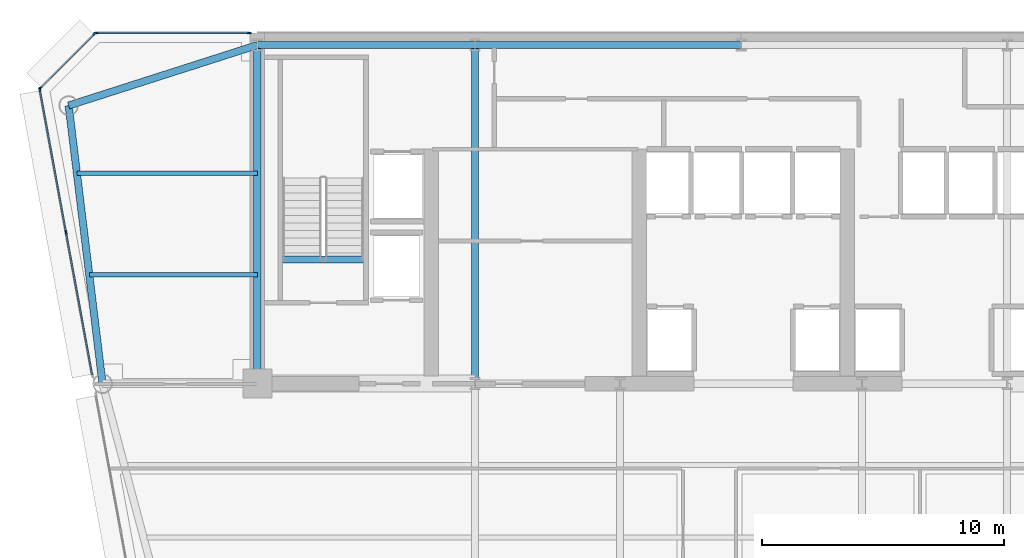
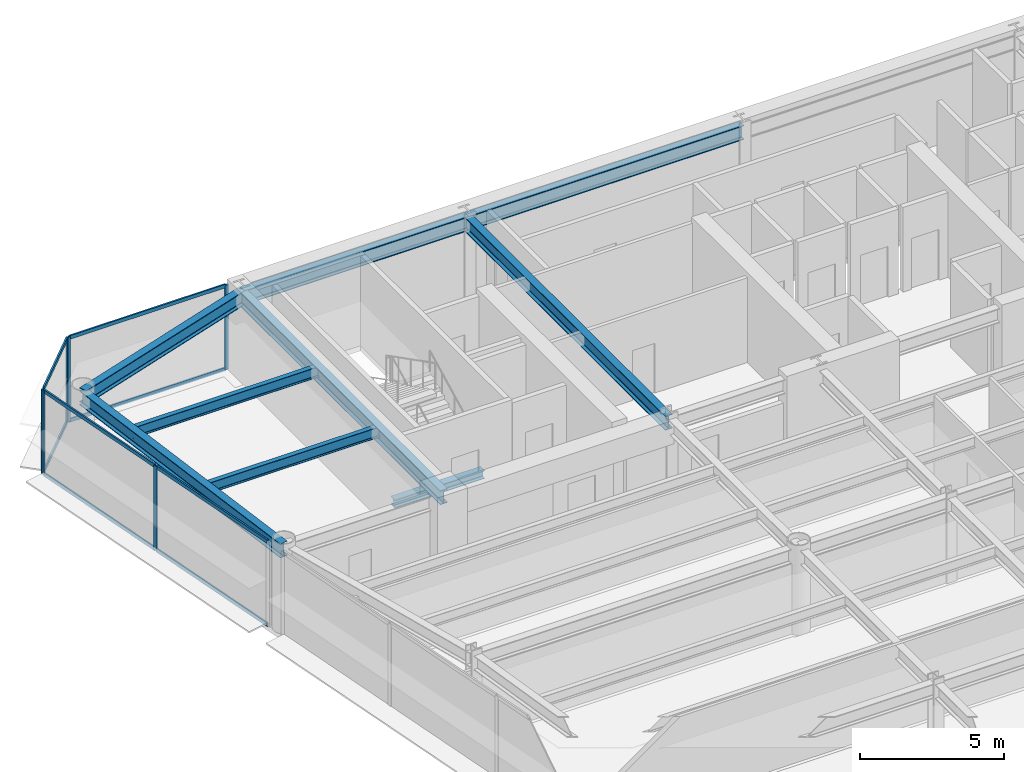
# One storey, part 7 of 16: 14 members, 9 beams, 3 elements without a shape of their own.
"""IFC4 building model written with IfcOpenShell, lengths in metres."""

from ifc_helpers import new_model, si_unit, direction, frame, origin, origin_2d, place, context, subcontext, project, spatial, rectangle, i_section, extrude, source, transform, mapped, material, layer, layer_set, material_profile, profile_set, type_object, element, aggregate, save


model = new_model("IFC4")

# Units and contexts
model_context = context("Model", 3, precision=1e-05, world=origin(), true_north=direction((0.0, 1.0)))
body_context = subcontext(model_context, "Body", "Model", "MODEL_VIEW")
ifc_project = project(units=[si_unit("LENGTHUNIT", "METRE"), si_unit("AREAUNIT", "SQUARE_METRE"), si_unit("VOLUMEUNIT", "CUBIC_METRE"), si_unit("PLANEANGLEUNIT", "RADIAN"), si_unit("MASSUNIT", "GRAM", prefix="KILO")], contexts=[model_context])

# Site, building, storey
site_placement = place(None, origin())
site = spatial("IfcSite", under=ifc_project, at=site_placement, CompositionType="ELEMENT")
building_placement = place(site_placement, origin())
building = spatial("IfcBuilding", under=site, at=building_placement, Name="Vaeldorn Concourse Tower", CompositionType="ELEMENT")
storey_placement = place(building_placement, frame((0.0, 0.0, 184.199951171875)))
storey = spatial("IfcBuildingStorey", under=building, at=storey_placement, Name="L47", CompositionType="ELEMENT", Elevation=184.199951171875)

# Beams
ifc_material_1 = material(Name="Steel S355", Category="steel")
ifc_material_profile_1 = material_profile(ifc_material_1, i_section(OverallWidth=0.300048828125, OverallDepth=0.340087890625, WebThickness=0.011962890625, FlangeThickness=0.021484375, FilletRadius=0.027099609375, at=origin_2d()), Name="HEB 340")
ifc_profile_set_1 = profile_set([ifc_material_profile_1], Name="Steel S355")
beam_type_1 = type_object("IfcBeamType", Name="BM-ST-TRIM", PredefinedType="BEAM", material=ifc_profile_set_1)
shared_shape_1 = source(origin(), body_context, "Body", "SweptSolid", [
    extrude(i_section(OverallWidth=0.300048828125, OverallDepth=0.340087890625, WebThickness=0.011962890625, FlangeThickness=0.021484375, FilletRadius=0.027099609375, at=origin_2d()), origin(), (0.0, 0.0, 1.0), 3.590087890625),
])
beam_1_placement = place(storey_placement, frame((14.929931640625, 41.639892578125, -0.389892578125), z_axis=(1.0, 0.0, 0.0), x_axis=(0.0, 1.0, 0.0)))
element("IfcBeam", 1, at=beam_1_placement, inside=storey, type_object=beam_type_1, Name="Stair Landing Trimmer Beam ST-1 L47", PredefinedType="BEAM", context=body_context, shape_type="MappedRepresentation", body=[
    mapped(shared_shape_1, transform((0.0, 0.0, 0.0), scale=1.0)),
])
ifc_material_profile_2 = material_profile(ifc_material_1, i_section(OverallWidth=0.18994140625, OverallDepth=0.449951171875, WebThickness=0.009521484375, FlangeThickness=0.0146484375, FilletRadius=0.02099609375, at=origin_2d()), Name="IPE 450")
ifc_profile_set_2 = profile_set([ifc_material_profile_2], Name="Steel S355")
beam_type_2 = type_object("IfcBeamType", Name="BM-JS-IPE450", PredefinedType="JOIST", material=ifc_profile_set_2)
shared_shape_2 = source(origin(), body_context, "Body", "SweptSolid", [
    extrude(i_section(OverallWidth=0.18994140625, OverallDepth=0.449951171875, WebThickness=0.009521484375, FlangeThickness=0.0146484375, FilletRadius=0.02099609375, at=origin_2d()), origin(), (0.0, 0.0, 1.0), 6.94775390625),
])
beam_2_placement = place(storey_placement, frame((7.05224609375, 41.0, 3.35498046875), z_axis=(1.0, 0.0, 0.0), x_axis=(0.0, 1.0, 0.0)))
element("IfcBeam", 2, at=beam_2_placement, inside=storey, type_object=beam_type_2, Name="Beam JS-L47-NW-410", PredefinedType="JOIST", context=body_context, shape_type="MappedRepresentation", body=[
    mapped(shared_shape_2, transform((0.0, 0.0, 0.0), scale=1.0)),
])
shared_shape_3 = source(origin(), body_context, "Body", "SweptSolid", [
    extrude(i_section(OverallWidth=0.18994140625, OverallDepth=0.449951171875, WebThickness=0.009521484375, FlangeThickness=0.0146484375, FilletRadius=0.02099609375, at=origin_2d()), origin(), (0.0, 0.0, 1.0), 7.458984375),
])
beam_3_placement = place(storey_placement, frame((6.541015625, 45.199951171875, 3.35498046875), z_axis=(1.0, 0.0, 0.0), x_axis=(0.0, 1.0, 0.0)))
element("IfcBeam", 3, at=beam_3_placement, inside=storey, type_object=beam_type_2, Name="Beam JS-L47-NW-452", PredefinedType="JOIST", context=body_context, shape_type="MappedRepresentation", body=[
    mapped(shared_shape_3, transform((0.0, 0.0, 0.0), scale=1.0)),
])
ifc_material_profile_3 = material_profile(ifc_material_1, i_section(OverallWidth=0.300048828125, OverallDepth=0.60009765625, WebThickness=0.015380859375, FlangeThickness=0.030029296875, FilletRadius=0.027099609375, at=origin_2d()), Name="HEB 600")
ifc_profile_set_3 = profile_set([ifc_material_profile_3], Name="Steel S355")
beam_type_3 = type_object("IfcBeamType", Name="BM-PG-HEB600", PredefinedType="BEAM", material=ifc_profile_set_3)
shared_shape_4 = source(origin(), body_context, "Body", "SweptSolid", [
    extrude(i_section(OverallWidth=0.300048828125, OverallDepth=0.60009765625, WebThickness=0.015380859375, FlangeThickness=0.030029296875, FilletRadius=0.027099609375, at=origin_2d()), origin(), (0.0, 0.0, 1.0), 9.0),
])
beam_4_placement = place(storey_placement, frame((14.0, 50.5, 3.280029296875), z_axis=(1.0, 0.0, 0.0), x_axis=(0.0, 1.0, 0.0)))
element("IfcBeam", 4, at=beam_4_placement, inside=storey, type_object=beam_type_3, Name="Beam BM-L47-C-HC1-C-HC2", PredefinedType="BEAM", context=body_context, shape_type="MappedRepresentation", body=[
    mapped(shared_shape_4, transform((0.0, 0.0, 0.0), scale=1.0)),
])
shared_shape_5 = source(origin(), body_context, "Body", "SweptSolid", [
    extrude(i_section(OverallWidth=0.300048828125, OverallDepth=0.60009765625, WebThickness=0.015380859375, FlangeThickness=0.030029296875, FilletRadius=0.027099609375, at=origin_2d()), origin(), (0.0, 0.0, 1.0), 11.0),
])
beam_5_placement = place(storey_placement, frame((23.0, 50.5, 3.280029296875), z_axis=(1.0, 0.0, 0.0), x_axis=(0.0, 1.0, 0.0)))
element("IfcBeam", 5, at=beam_5_placement, inside=storey, type_object=beam_type_3, Name="Beam BM-L47-C-HC2-C-HC3", PredefinedType="BEAM", context=body_context, shape_type="MappedRepresentation", body=[
    mapped(shared_shape_5, transform((0.0, 0.0, 0.0), scale=1.0)),
])
shared_shape_6 = source(origin(), body_context, "Body", "SweptSolid", [
    extrude(i_section(OverallWidth=0.300048828125, OverallDepth=0.60009765625, WebThickness=0.015380859375, FlangeThickness=0.030029296875, FilletRadius=0.027099609375, at=origin_2d()), origin(), (0.0, 0.0, 1.0), 14.0),
])
for number, where, z_axis, x_axis, name in (
    (6, (14.0, 36.5, 3.280029296875), (0.0, 1.0, 0.0), (-1.0, 0.0, 0.0), "Beam BM-L47-C-FC1-C-HC1"),
    (7, (23.0, 36.5, 3.280029296875), (0.0, 1.0, 0.0), (-1.0, 0.0, 0.0), "Beam BM-L47-C-FC2-C-HC2"),
):
    element("IfcBeam", number, at=place(storey_placement, frame(where, z_axis=z_axis, x_axis=x_axis)), inside=storey, type_object=beam_type_3, Name=name, PredefinedType="BEAM", context=body_context, shape_type="MappedRepresentation", body=[
        mapped(shared_shape_6, transform((0.0, 0.0, 0.0), scale=1.0)),
    ])
shared_shape_7 = source(origin(), body_context, "Body", "SweptSolid", [
    extrude(i_section(OverallWidth=0.300048828125, OverallDepth=0.60009765625, WebThickness=0.015380859375, FlangeThickness=0.030029296875, FilletRadius=0.027099609375, at=origin_2d()), origin(), (0.0, 0.0, 1.0), 8.19091796875),
])
beam_6_placement = place(storey_placement, frame((6.199951171875, 48.0, 3.280029296875), z_axis=(0.952282843383, 0.305216949396, 0.0), x_axis=(-0.305216949396, 0.952282843383, 0.0)))
element("IfcBeam", 8, at=beam_6_placement, inside=storey, type_object=beam_type_3, Name="Beam BM-L47-C-NW1-C-HC1", PredefinedType="BEAM", context=body_context, shape_type="MappedRepresentation", body=[
    mapped(shared_shape_7, transform((0.0, 0.0, 0.0), scale=1.0)),
])
shared_shape_8 = source(origin(), body_context, "Body", "SweptSolid", [
    extrude(i_section(OverallWidth=0.300048828125, OverallDepth=0.60009765625, WebThickness=0.015380859375, FlangeThickness=0.030029296875, FilletRadius=0.027099609375, at=origin_2d()), origin(), (0.0, 0.0, 1.0), 11.5849609375),
])
beam_7_placement = place(storey_placement, frame((6.199951171875, 48.0, 3.280029296875), z_axis=(0.120859382899, -0.992669637677, 0.0), x_axis=(0.992669637677, 0.120859382899, 0.0)))
element("IfcBeam", 9, at=beam_7_placement, inside=storey, type_object=beam_type_3, Name="Beam BM-L47-C-NW1-C-NW2", PredefinedType="BEAM", context=body_context, shape_type="MappedRepresentation", body=[
    mapped(shared_shape_8, transform((0.0, 0.0, 0.0), scale=1.0)),
])

# Curtain wall, members
ifc_material_2 = material(Name="Anodised Bronze Aluminium", Category="aluminium")
ifc_layer = layer(ifc_material_2, 0.18994140625)
ifc_layer_set = layer_set([ifc_layer], Name="Anodised Bronze Aluminium")
curtain_wall_type = type_object("IfcCurtainWallType", Name="CW-SYS-03", PredefinedType="NOTDEFINED", material=ifc_layer_set)
curtain_wall_1_placement = place(storey_placement, origin())
curtain_wall_1 = element("IfcCurtainWall", 10, at=curtain_wall_1_placement, inside=storey, type_object=curtain_wall_type, Name="Unitised Curtain Wall CW-L47-E10-1", PredefinedType="NOTDEFINED")
ifc_material_profile_4 = material_profile(ifc_material_2, rectangle(XDim=0.06494140625, YDim=0.14990234375, at=origin_2d()), Name="CWT 65x150")
ifc_profile_set_4 = profile_set([ifc_material_profile_4], Name="Anodised Bronze Aluminium")
member_type_1 = type_object("IfcMemberType", Name="CWT-BRONZE-150", PredefinedType="USERDEFINED", material=ifc_profile_set_4)
shared_shape_9 = source(origin(), body_context, "Body", "SweptSolid", [
    extrude(rectangle(XDim=0.06494140625, YDim=0.14990234375, at=origin_2d()), origin(), (0.0, 0.0, 1.0), 3.123046875),
])
member_1_placement = place(storey_placement, frame((7.254150390625, 50.9541015625, 0.032470703125), z_axis=(-0.707106781187, -0.707106781187, 0.0), x_axis=(0.707106781187, -0.707106781187, 0.0)))
member_1 = element("IfcMember", 11, at=member_1_placement, type_object=member_type_1, Name="CW-03 transom 1.1", ObjectType="TRANSOM", PredefinedType="USERDEFINED", context=body_context, shape_type="MappedRepresentation", body=[
    mapped(shared_shape_9, transform((0.0, 0.0, 0.0), scale=1.0)),
])
member_2_placement = place(storey_placement, frame((7.254150390625, 50.9541015625, 3.547607421875), z_axis=(-0.707106781187, -0.707106781187, 0.0), x_axis=(0.707106781187, -0.707106781187, 0.0)))
member_2 = element("IfcMember", 12, at=member_2_placement, type_object=member_type_1, Name="CW-03 transom 1.2", ObjectType="TRANSOM", PredefinedType="USERDEFINED", context=body_context, shape_type="MappedRepresentation", body=[
    mapped(shared_shape_9, transform((0.0, 0.0, 0.0), scale=1.0)),
])

curtain_wall_2_placement = place(storey_placement, origin())
curtain_wall_2 = element("IfcCurtainWall", 13, at=curtain_wall_2_placement, inside=storey, type_object=curtain_wall_type, Name="Unitised Curtain Wall CW-L47-E09-2", PredefinedType="NOTDEFINED")
ifc_material_profile_5 = material_profile(ifc_material_2, rectangle(XDim=0.06494140625, YDim=0.169921875, at=origin_2d()), Name="CWM 65x170")
ifc_profile_set_5 = profile_set([ifc_material_profile_5], Name="Anodised Bronze Aluminium")
member_type_2 = type_object("IfcMemberType", Name="CWM-BRONZE-170", PredefinedType="MULLION", material=ifc_profile_set_5)
shared_shape_10 = source(origin(), body_context, "Body", "SweptSolid", [
    extrude(rectangle(XDim=0.06494140625, YDim=0.169921875, at=origin_2d()), origin(), (0.0, 0.0, 1.0), 3.580078125),
])
member_3_placement = place(storey_placement, frame((13.672607421875, 51.0, 0.0), z_axis=(0.0, 0.0, 1.0), x_axis=(0.0, -1.0, 0.0)))
member_3 = element("IfcMember", 14, at=member_3_placement, type_object=member_type_2, Name="CW-03 mullion 1", PredefinedType="MULLION", context=body_context, shape_type="MappedRepresentation", body=[
    mapped(shared_shape_10, transform((0.0, 0.0, 0.0), scale=1.0)),
])
member_4_placement = place(storey_placement, frame((7.33251953125, 51.0, 0.0), z_axis=(0.0, 0.0, 1.0), x_axis=(0.0, -1.0, 0.0)))
member_4 = element("IfcMember", 15, at=member_4_placement, type_object=member_type_2, Name="CW-03 mullion 2", PredefinedType="MULLION", context=body_context, shape_type="MappedRepresentation", body=[
    mapped(shared_shape_10, transform((0.0, 0.0, 0.0), scale=1.0)),
])

# Member
member_5_placement = place(storey_placement, frame((7.277099609375, 50.97705078125, 0.0), z_axis=(0.0, 0.0, 1.0), x_axis=(0.707106781187, -0.707106781187, 0.0)))
member_5 = element("IfcMember", 16, at=member_5_placement, type_object=member_type_2, Name="CW-03 mullion 1", PredefinedType="MULLION", context=body_context, shape_type="MappedRepresentation", body=[
    mapped(shared_shape_10, transform((0.0, 0.0, 0.0), scale=1.0)),
])

member_6_placement = place(storey_placement, frame((5.02294921875, 48.722900390625, 0.0), z_axis=(0.0, 0.0, 1.0), x_axis=(0.707106781187, -0.707106781187, 0.0)))
member_6 = element("IfcMember", 17, at=member_6_placement, type_object=member_type_2, Name="CW-03 mullion 2", PredefinedType="MULLION", context=body_context, shape_type="MappedRepresentation", body=[
    mapped(shared_shape_10, transform((0.0, 0.0, 0.0), scale=1.0)),
])

aggregate(curtain_wall_1, [member_5, member_6, member_1, member_2])

# Curtain wall, members
curtain_wall_3_placement = place(storey_placement, origin())
curtain_wall_3 = element("IfcCurtainWall", 18, at=curtain_wall_3_placement, inside=storey, type_object=curtain_wall_type, Name="Unitised Curtain Wall CW-L47-E11-1", PredefinedType="NOTDEFINED")
member_7_placement = place(storey_placement, frame((5.005859375, 48.66796875, 0.0), z_axis=(0.0, 0.0, 1.0), x_axis=(0.983559459619, 0.180584576845, 0.0)))
member_7 = element("IfcMember", 19, at=member_7_placement, type_object=member_type_2, Name="CW-03 mullion 1", PredefinedType="MULLION", context=body_context, shape_type="MappedRepresentation", body=[
    mapped(shared_shape_10, transform((0.0, 0.0, 0.0), scale=1.0)),
])
member_8_placement = place(storey_placement, frame((6.091796875, 42.753662109375, 0.0), z_axis=(0.0, 0.0, 1.0), x_axis=(0.983559459619, 0.180584576845, 0.0)))
member_8 = element("IfcMember", 20, at=member_8_placement, type_object=member_type_2, Name="CW-03 mullion 2", PredefinedType="MULLION", context=body_context, shape_type="MappedRepresentation", body=[
    mapped(shared_shape_10, transform((0.0, 0.0, 0.0), scale=1.0)),
])

# Member
shared_shape_11 = source(origin(), body_context, "Body", "SweptSolid", [
    extrude(rectangle(XDim=0.06494140625, YDim=0.14990234375, at=origin_2d()), origin(), (0.0, 0.0, 1.0), 6.27490234375),
])
member_9_placement = place(storey_placement, frame((13.639892578125, 51.0, 0.032470703125), z_axis=(-1.0, 0.0, 0.0), x_axis=(0.0, -1.0, 0.0)))
member_9 = element("IfcMember", 21, at=member_9_placement, type_object=member_type_1, Name="CW-03 transom 1.1", ObjectType="TRANSOM", PredefinedType="USERDEFINED", context=body_context, shape_type="MappedRepresentation", body=[
    mapped(shared_shape_11, transform((0.0, 0.0, 0.0), scale=1.0)),
])

member_10_placement = place(storey_placement, frame((13.639892578125, 51.0, 3.547607421875), z_axis=(-1.0, 0.0, 0.0), x_axis=(0.0, -1.0, 0.0)))
member_10 = element("IfcMember", 22, at=member_10_placement, type_object=member_type_1, Name="CW-03 transom 1.2", ObjectType="TRANSOM", PredefinedType="USERDEFINED", context=body_context, shape_type="MappedRepresentation", body=[
    mapped(shared_shape_11, transform((0.0, 0.0, 0.0), scale=1.0)),
])

aggregate(curtain_wall_2, [member_3, member_4, member_9, member_10])

shared_shape_12 = source(origin(), body_context, "Body", "SweptSolid", [
    extrude(rectangle(XDim=0.06494140625, YDim=0.14990234375, at=origin_2d()), origin(), (0.0, 0.0, 1.0), 5.9482421875),
])
member_11_placement = place(storey_placement, frame((5.01171875, 48.635986328125, 0.032470703125), z_axis=(0.180597229094, -0.983557136542, 0.0), x_axis=(0.983557136542, 0.180597229094, 0.0)))
member_11 = element("IfcMember", 23, at=member_11_placement, type_object=member_type_1, Name="CW-03 transom 1.1", ObjectType="TRANSOM", PredefinedType="USERDEFINED", context=body_context, shape_type="MappedRepresentation", body=[
    mapped(shared_shape_12, transform((0.0, 0.0, 0.0), scale=1.0)),
])

member_12_placement = place(storey_placement, frame((5.01171875, 48.635986328125, 3.547607421875), z_axis=(0.180597229094, -0.983557136542, 0.0), x_axis=(0.983557136542, 0.180597229094, 0.0)))
member_12 = element("IfcMember", 24, at=member_12_placement, type_object=member_type_1, Name="CW-03 transom 1.2", ObjectType="TRANSOM", PredefinedType="USERDEFINED", context=body_context, shape_type="MappedRepresentation", body=[
    mapped(shared_shape_12, transform((0.0, 0.0, 0.0), scale=1.0)),
])

member_13_placement = place(storey_placement, frame((6.09765625, 42.7216796875, 0.032470703125), z_axis=(0.180597229094, -0.983557136542, 0.0), x_axis=(0.983557136542, 0.180597229094, 0.0)))
member_13 = element("IfcMember", 25, at=member_13_placement, type_object=member_type_1, Name="CW-03 transom 2.1", ObjectType="TRANSOM", PredefinedType="USERDEFINED", context=body_context, shape_type="MappedRepresentation", body=[
    mapped(shared_shape_12, transform((0.0, 0.0, 0.0), scale=1.0)),
])

member_14_placement = place(storey_placement, frame((6.09765625, 42.7216796875, 3.547607421875), z_axis=(0.180597229094, -0.983557136542, 0.0), x_axis=(0.983557136542, 0.180597229094, 0.0)))
member_14 = element("IfcMember", 26, at=member_14_placement, type_object=member_type_1, Name="CW-03 transom 2.2", ObjectType="TRANSOM", PredefinedType="USERDEFINED", context=body_context, shape_type="MappedRepresentation", body=[
    mapped(shared_shape_12, transform((0.0, 0.0, 0.0), scale=1.0)),
])

aggregate(curtain_wall_3, [member_7, member_8, member_11, member_12, member_13, member_14])

save(model, "model.ifc")
